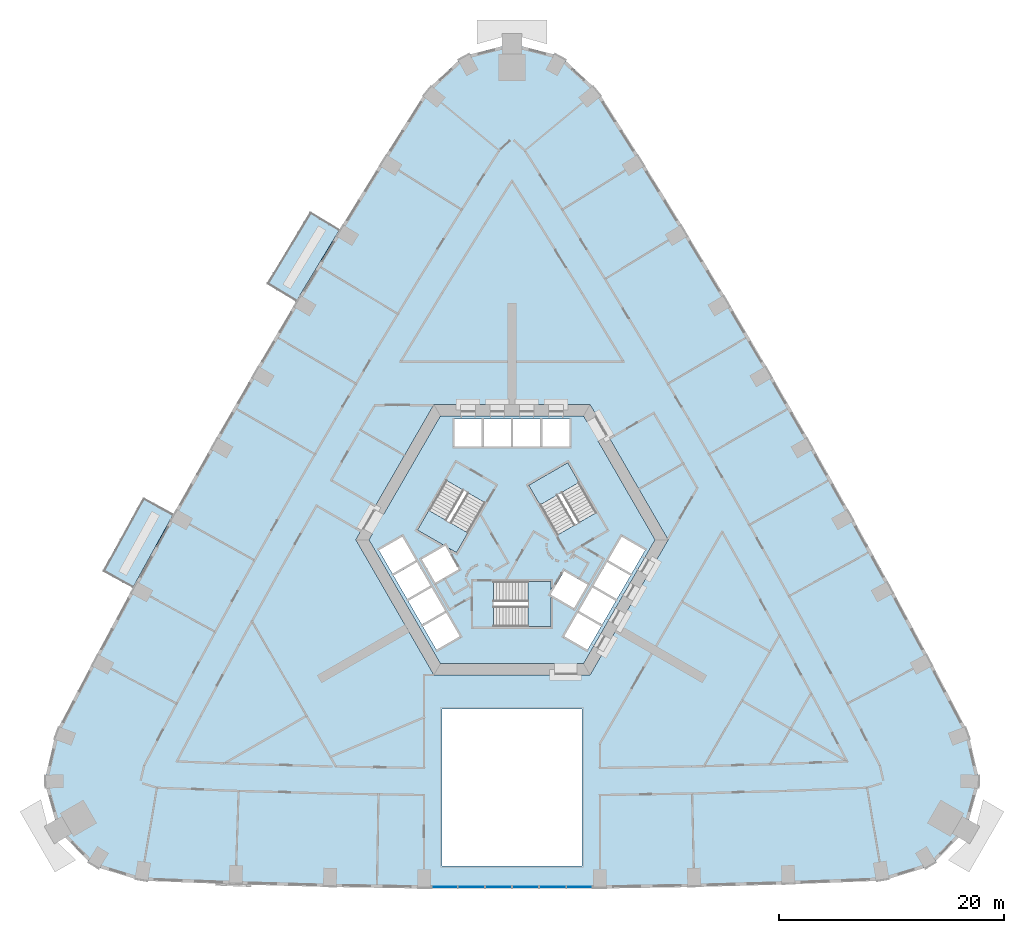
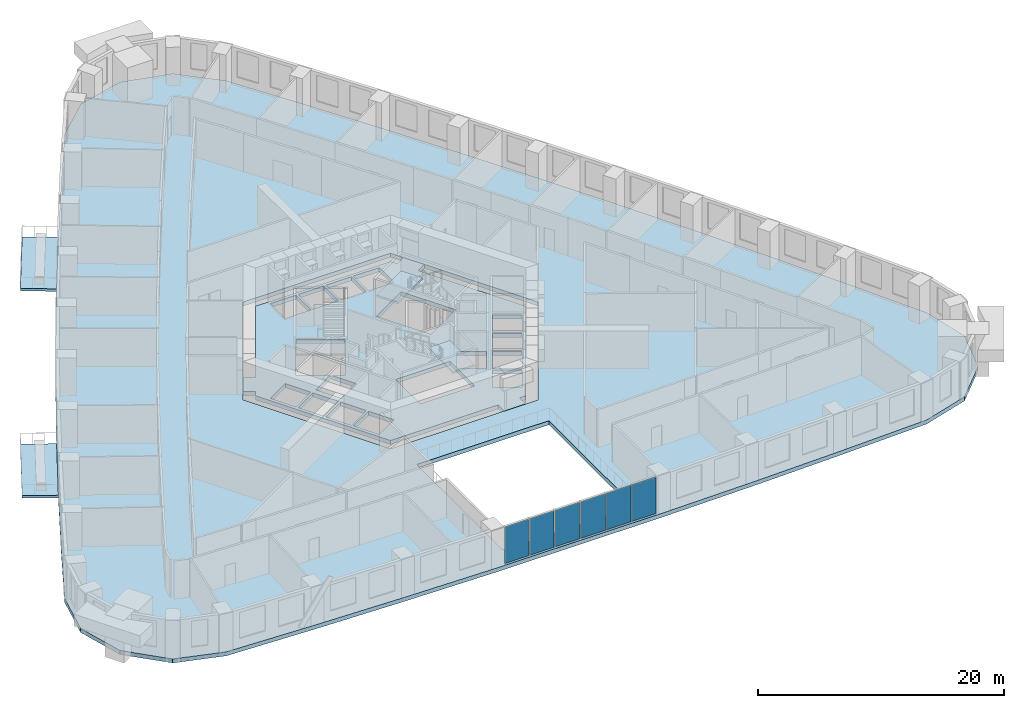
# One storey, part 3 of 16: 7 slabs, 6 plates, 4 elements without a shape of their own.
"""IFC4 building model written with IfcOpenShell, lengths in metres."""

from ifc_helpers import new_model, si_unit, direction, frame, origin, origin_2d, place, context, subcontext, project, spatial, polyline, rectangle, outline, extrude, material, layer, layer_set, type_object, element, aggregate, save


model = new_model("IFC4")

# Units and contexts
model_context = context("Model", 3, precision=1e-05, world=origin(), true_north=direction((0.0, 1.0)))
body_context = subcontext(model_context, "Body", "Model", "MODEL_VIEW")
ifc_project = project(units=[si_unit("LENGTHUNIT", "METRE"), si_unit("AREAUNIT", "SQUARE_METRE"), si_unit("VOLUMEUNIT", "CUBIC_METRE"), si_unit("PLANEANGLEUNIT", "RADIAN"), si_unit("MASSUNIT", "GRAM", prefix="KILO")], contexts=[model_context])

# Site, building, storey
site_placement = place(None, origin())
site = spatial("IfcSite", under=ifc_project, at=site_placement, CompositionType="ELEMENT")
building_placement = place(site_placement, origin())
building = spatial("IfcBuilding", under=site, at=building_placement, Name="Entoto Arch Interchange Tower", CompositionType="ELEMENT")
storey_placement = place(building_placement, frame((0.0, 0.0, 43.39990234375)))
storey = spatial("IfcBuildingStorey", under=building, at=storey_placement, Name="L08", CompositionType="ELEMENT", Elevation=43.39990234375)

# Slabs
ifc_material_1 = material(Name="Board-marked precast concrete C50/60", Category="concrete")
ifc_layer_1 = layer(ifc_material_1, 0.25)
ifc_layer_set_1 = layer_set([ifc_layer_1], Name="Board-marked precast concrete C50/60")
slab_type_1 = type_object("IfcSlabType", Name="BALCONY DECK PRECAST 250", PredefinedType="FLOOR", material=ifc_layer_set_1)
slab_1_placement = place(storey_placement, frame((0.0, 0.0, -0.25)))
element("IfcSlab", 1, at=slab_1_placement, inside=storey, type_object=slab_type_1, Name="Planted balcony NW-03 L08", PredefinedType="FLOOR", context=body_context, shape_type="SweptSolid", body=[
    extrude(outline(polyline([(-15.339111328125, 29.972900390625), (-19.123046875, 23.7119140625), (-21.64794921875, 25.238037109375), (-17.864013671875, 31.4990234375), (-15.339111328125, 29.972900390625)])), origin(), (0.0, 0.0, 1.0), 0.25),
])
slab_2_placement = place(storey_placement, frame((0.0, 0.0, -0.25)))
element("IfcSlab", 2, at=slab_2_placement, inside=storey, type_object=slab_type_1, Name="Planted balcony NW-07 L08", PredefinedType="FLOOR", context=body_context, shape_type="SweptSolid", body=[
    extrude(outline(polyline([(-30.096923828125, 4.705078125), (-33.626953125, -1.701904296875), (-36.2109375, -0.278076171875), (-32.680908203125, 6.12890625), (-30.096923828125, 4.705078125)])), origin(), (0.0, 0.0, 1.0), 0.25),
])
ifc_material_2 = material(Name="Concrete C40/50", Category="concrete")
ifc_layer_2 = layer(ifc_material_2, 0.39990234375)
ifc_layer_set_2 = layer_set([ifc_layer_2], Name="Concrete C40/50")
slab_type_2 = type_object("IfcSlabType", Name="Core floor slab 400 C40/50", PredefinedType="FLOOR", material=ifc_layer_set_2)
slab_3_placement = place(storey_placement, frame((0.0, 0.0, -0.39990234375)))
element("IfcSlab", 3, at=slab_3_placement, inside=storey, type_object=slab_type_2, Name="Core floor slab L08", PredefinedType="FLOOR", context=body_context, shape_type="SweptSolid", body=[
    extrude(outline(polyline([(5.75, -9.5), (3.75, -9.5), (3.75, -8.5), (-6.35107421875, -8.5), (-12.701904296875, 2.5), (-12.402099609375, 3.02001953125), (-13.26708984375, 3.52001953125), (-12.26708984375, 5.251953125), (-11.402099609375, 4.751953125), (-6.35107421875, 13.5), (6.35107421875, 13.5), (6.65087890625, 12.97998046875), (7.51708984375, 13.47998046875), (8.51708984375, 11.748046875), (7.65087890625, 11.248046875), (12.701904296875, 2.5), (6.35107421875, -8.5), (5.75, -8.5), (5.75, -9.5)]), holes=[polyline([(-4.637939453125, -6.06689453125), (-5.837890625, -3.988037109375), (-7.916015625, -5.18798828125), (-6.716064453125, -7.26708984375), (-4.637939453125, -6.06689453125)]), polyline([(-5.93798828125, -3.81494140625), (-7.137939453125, -1.737060546875), (-9.216064453125, -2.93701171875), (-8.01611328125, -5.014892578125), (-5.93798828125, -3.81494140625)]), polyline([(5.5048828125, -3.56494140625), (6.705078125, -1.487060546875), (4.626953125, -0.287109375), (3.449951171875, -2.324951171875), (3.449951171875, -1.199951171875), (-1.64990234375, -1.199951171875), (-1.64990234375, -5.199951171875), (3.449951171875, -5.199951171875), (3.449951171875, -2.3779296875), (5.5048828125, -3.56494140625)]), polyline([(-7.238037109375, -1.56298828125), (-8.43798828125, 0.514892578125), (-10.51611328125, -0.68505859375), (-9.31591796875, -2.762939453125), (-7.238037109375, -1.56298828125)]), polyline([(-4.72705078125, -0.113037109375), (-5.904052734375, 1.925048828125), (-4.928955078125, 1.362060546875), (-2.37890625, 5.779052734375), (-5.843017578125, 7.779052734375), (-8.39306640625, 3.362060546875), (-5.949951171875, 1.951904296875), (-8.0048828125, 0.764892578125), (-6.804931640625, -1.31298828125), (-4.72705078125, -0.113037109375)]), polyline([(-8.5380859375, 0.68798828125), (-9.738037109375, 2.76708984375), (-11.81591796875, 1.56689453125), (-10.615966796875, -0.511962890625), (-8.5380859375, 0.68798828125)]), polyline([(-5.10009765625, 10.800048828125), (-2.699951171875, 10.800048828125), (-2.699951171875, 13.199951171875), (-5.10009765625, 13.199951171875), (-5.10009765625, 10.800048828125)]), polyline([(-2.5, 10.800048828125), (-0.10009765625, 10.800048828125), (-0.10009765625, 13.199951171875), (-2.5, 13.199951171875), (-2.5, 10.800048828125)]), polyline([(5.837890625, -3.988037109375), (4.637939453125, -6.06689453125), (6.716064453125, -7.26708984375), (7.916015625, -5.18798828125), (5.837890625, -3.988037109375)]), polyline([(7.137939453125, -1.737060546875), (5.93798828125, -3.81494140625), (8.01611328125, -5.014892578125), (9.216064453125, -2.93701171875), (7.137939453125, -1.737060546875)]), polyline([(8.43798828125, 0.514892578125), (7.238037109375, -1.56298828125), (9.31591796875, -2.762939453125), (10.51611328125, -0.68505859375), (8.43798828125, 0.514892578125)]), polyline([(9.738037109375, 2.76708984375), (8.5380859375, 0.68798828125), (10.615966796875, -0.511962890625), (11.81591796875, 1.56689453125), (9.738037109375, 2.76708984375)]), polyline([(4.029052734375, 2.9208984375), (7.492919921875, 4.9208984375), (4.943115234375, 9.337890625), (1.47900390625, 7.337890625), (4.029052734375, 2.9208984375)]), polyline([(0.10009765625, 13.199951171875), (0.10009765625, 10.800048828125), (2.5, 10.800048828125), (2.5, 13.199951171875), (0.10009765625, 13.199951171875)]), polyline([(2.699951171875, 13.199951171875), (2.699951171875, 10.800048828125), (5.10009765625, 10.800048828125), (5.10009765625, 13.199951171875), (2.699951171875, 13.199951171875)])]), origin(), (0.0, 0.0, 1.0), 0.39990234375),
])

# Stair, slab
stair_type = type_object("IfcStairType", Name="EXIT STAIR RC 1800", PredefinedType="HALF_TURN_STAIR", material=ifc_material_2)
stair_1_placement = place(storey_placement, origin())
stair_1 = element("IfcStair", 4, at=stair_1_placement, inside=storey, type_object=stair_type, Name="L08 Exit stair S", PredefinedType="HALF_TURN_STAIR")
ifc_layer_3 = layer(ifc_material_2, 0.199951171875)
ifc_layer_set_3 = layer_set([ifc_layer_3], Name="Concrete C40/50")
slab_type_3 = type_object("IfcSlabType", Name="EXIT STAIR LANDING RC 200", PredefinedType="LANDING", material=ifc_layer_set_3)
slab_4_placement = place(storey_placement, frame((0.0, 0.0, 1.900146484375)))
slab_4 = element("IfcSlab", 5, at=slab_4_placement, type_object=slab_type_3, Name="ST-S landing 1", PredefinedType="LANDING", context=body_context, shape_type="SweptSolid", body=[
    extrude(outline(polyline([(1.429931640625, -5.199951171875), (3.449951171875, -5.199951171875), (3.449951171875, -1.199951171875), (1.429931640625, -1.199951171875), (1.429931640625, -5.199951171875)])), origin(), (0.0, 0.0, 1.0), 0.199951171875),
])
aggregate(stair_1, [slab_4])

stair_2_placement = place(storey_placement, origin())
stair_2 = element("IfcStair", 6, at=stair_2_placement, inside=storey, type_object=stair_type, Name="L08 Exit stair NE", PredefinedType="HALF_TURN_STAIR")
slab_5_placement = place(storey_placement, frame((0.0, 0.0, 1.900146484375)))
slab_5 = element("IfcSlab", 7, at=slab_5_placement, type_object=slab_type_3, Name="ST-NE landing 1", PredefinedType="LANDING", context=body_context, shape_type="SweptSolid", body=[
    extrude(outline(polyline([(5.953369140625, 7.58837890625), (4.943359375, 9.337890625), (1.479248046875, 7.337890625), (2.4892578125, 5.58837890625), (5.953369140625, 7.58837890625)])), origin(), (0.0, 0.0, 1.0), 0.199951171875),
])
aggregate(stair_2, [slab_5])

stair_3_placement = place(storey_placement, origin())
stair_3 = element("IfcStair", 8, at=stair_3_placement, inside=storey, type_object=stair_type, Name="L08 Exit stair NW", PredefinedType="HALF_TURN_STAIR")
slab_6_placement = place(storey_placement, frame((0.0, 0.0, 1.900146484375)))
slab_6 = element("IfcSlab", 9, at=slab_6_placement, type_object=slab_type_3, Name="ST-NW landing 1", PredefinedType="LANDING", context=body_context, shape_type="SweptSolid", body=[
    extrude(outline(polyline([(-7.38330078125, 5.111572265625), (-8.393310546875, 3.3623046875), (-4.92919921875, 1.3623046875), (-3.919189453125, 3.111572265625), (-7.38330078125, 5.111572265625)])), origin(), (0.0, 0.0, 1.0), 0.199951171875),
])
aggregate(stair_3, [slab_6])

# Curtain wall, plates
ifc_material_3 = material(Name="Aluminium, anodised", Category="aluminium")
curtain_wall_type = type_object("IfcCurtainWallType", Name="CURTAIN WALL ATRIUM", PredefinedType="NOTDEFINED", material=ifc_material_3)
curtain_wall_placement = place(storey_placement, origin())
curtain_wall = element("IfcCurtainWall", 10, at=curtain_wall_placement, inside=storey, type_object=curtain_wall_type, Name="Atrium glazing S-04 L08", PredefinedType="NOTDEFINED")
ifc_material_4 = material(Name="Clear glass, low-e double glazed", Category="glass")
ifc_layer_4 = layer(ifc_material_4, 0.031982421875)
ifc_layer_set_4 = layer_set([ifc_layer_4], Name="Clear glass, low-e double glazed")
plate_type = type_object("IfcPlateType", Name="GLAZING PANEL ATRIUM 32", PredefinedType="CURTAIN_PANEL", material=ifc_layer_set_4)
plate_1_placement = place(storey_placement, frame((-5.973388671875, -28.3330078125, 0.080078125), z_axis=(0.0, 0.0, 1.0), x_axis=(1.0, 0.0, 0.0)))
plate_1 = element("IfcPlate", 11, at=plate_1_placement, type_object=plate_type, Name="CWA panel 1.1", PredefinedType="CURTAIN_PANEL", context=body_context, shape_type="SweptSolid", body=[
    extrude(rectangle(XDim=2.249267578125, YDim=0.031982421875, at=origin_2d()), origin(), (0.0, 0.0, 1.0), 3.639892578125),
])
plate_2_placement = place(storey_placement, frame((-3.59912109375, -28.3330078125, 0.080078125), z_axis=(0.0, 0.0, 1.0), x_axis=(1.0, 0.0, 0.0)))
plate_2 = element("IfcPlate", 12, at=plate_2_placement, type_object=plate_type, Name="CWA panel 2.1", PredefinedType="CURTAIN_PANEL", context=body_context, shape_type="SweptSolid", body=[
    extrude(rectangle(XDim=2.29931640625, YDim=0.031982421875, at=origin_2d()), origin(), (0.0, 0.0, 1.0), 3.639892578125),
])
plate_3_placement = place(storey_placement, frame((-1.19970703125, -28.3330078125, 0.080078125), z_axis=(0.0, 0.0, 1.0), x_axis=(1.0, 0.0, 0.0)))
plate_3 = element("IfcPlate", 13, at=plate_3_placement, type_object=plate_type, Name="CWA panel 3.1", PredefinedType="CURTAIN_PANEL", context=body_context, shape_type="SweptSolid", body=[
    extrude(rectangle(XDim=2.29931640625, YDim=0.031982421875, at=origin_2d()), origin(), (0.0, 0.0, 1.0), 3.639892578125),
])
plate_4_placement = place(storey_placement, frame((1.19970703125, -28.3330078125, 0.080078125), z_axis=(0.0, 0.0, 1.0), x_axis=(1.0, 0.0, 0.0)))
plate_4 = element("IfcPlate", 14, at=plate_4_placement, type_object=plate_type, Name="CWA panel 4.1", PredefinedType="CURTAIN_PANEL", context=body_context, shape_type="SweptSolid", body=[
    extrude(rectangle(XDim=2.29931640625, YDim=0.031982421875, at=origin_2d()), origin(), (0.0, 0.0, 1.0), 3.639892578125),
])
plate_5_placement = place(storey_placement, frame((3.59912109375, -28.3330078125, 0.080078125), z_axis=(0.0, 0.0, 1.0), x_axis=(1.0, 0.0, 0.0)))
plate_5 = element("IfcPlate", 15, at=plate_5_placement, type_object=plate_type, Name="CWA panel 5.1", PredefinedType="CURTAIN_PANEL", context=body_context, shape_type="SweptSolid", body=[
    extrude(rectangle(XDim=2.29931640625, YDim=0.031982421875, at=origin_2d()), origin(), (0.0, 0.0, 1.0), 3.639892578125),
])
plate_6_placement = place(storey_placement, frame((5.973388671875, -28.3330078125, 0.080078125), z_axis=(0.0, 0.0, 1.0), x_axis=(1.0, 0.0, 0.0)))
plate_6 = element("IfcPlate", 16, at=plate_6_placement, type_object=plate_type, Name="CWA panel 6.1", PredefinedType="CURTAIN_PANEL", context=body_context, shape_type="SweptSolid", body=[
    extrude(rectangle(XDim=2.249267578125, YDim=0.031982421875, at=origin_2d()), origin(), (0.0, 0.0, 1.0), 3.639892578125),
])
aggregate(curtain_wall, [plate_1, plate_2, plate_3, plate_4, plate_5, plate_6])

# Slab
ifc_layer_5 = layer(ifc_material_2, 0.39990234375)
ifc_layer_set_5 = layer_set([ifc_layer_5], Name="Concrete C40/50")
slab_type_4 = type_object("IfcSlabType", Name="Post-tensioned flat plate 400 C40/50", PredefinedType="FLOOR", material=ifc_layer_set_5)
slab_7_placement = place(storey_placement, frame((0.0, 0.0, -0.39990234375)))
element("IfcSlab", 17, at=slab_7_placement, inside=storey, type_object=slab_type_4, Name="Floor slab L08", PredefinedType="FLOOR", context=body_context, shape_type="SweptSolid", body=[
    extrude(outline(polyline([(-32.910888671875, -27.758056640625), (-24.5400390625, -28.0869140625), (-16.169921875, -28.321044921875), (-7.800048828125, -28.4580078125), (7.800048828125, -28.4580078125), (16.169921875, -28.321044921875), (24.5400390625, -28.0869140625), (32.910888671875, -27.758056640625), (37.178955078125, -26.45703125), (40.299072265625, -23.26708984375), (41.5029296875, -18.969970703125), (40.493896484375, -14.623046875), (37.093017578125, -8.14501953125), (33.626953125, -1.701904296875), (30.096923828125, 4.705078125), (26.5029296875, 11.077880859375), (22.844970703125, 17.4130859375), (19.123046875, 23.7119140625), (15.339111328125, 29.972900390625), (11.491943359375, 36.196044921875), (7.5830078125, 42.3798828125), (4.322998046875, 45.427001953125), (0.0, 46.532958984375), (-4.322998046875, 45.427001953125), (-7.5830078125, 42.3798828125), (-11.491943359375, 36.196044921875), (-15.339111328125, 29.972900390625), (-19.123046875, 23.7119140625), (-22.844970703125, 17.4130859375), (-26.5029296875, 11.077880859375), (-30.096923828125, 4.705078125), (-33.626953125, -1.701904296875), (-37.093017578125, -8.14501953125), (-40.493896484375, -14.623046875), (-41.5029296875, -18.969970703125), (-40.299072265625, -23.26708984375), (-37.178955078125, -26.45703125), (-32.910888671875, -27.758056640625)]), holes=[polyline([(6.199951171875, -26.4580078125), (6.199951171875, -12.5), (-6.199951171875, -12.5), (-6.199951171875, -26.4580078125), (6.199951171875, -26.4580078125)]), polyline([(13.85595703125, 2.5), (6.927978515625, 14.5), (-6.927978515625, 14.5), (-13.85595703125, 2.5), (-6.927978515625, -9.5), (6.927978515625, -9.5), (13.85595703125, 2.5)])]), origin(), (0.0, 0.0, 1.0), 0.39990234375),
])

save(model, "model.ifc")
